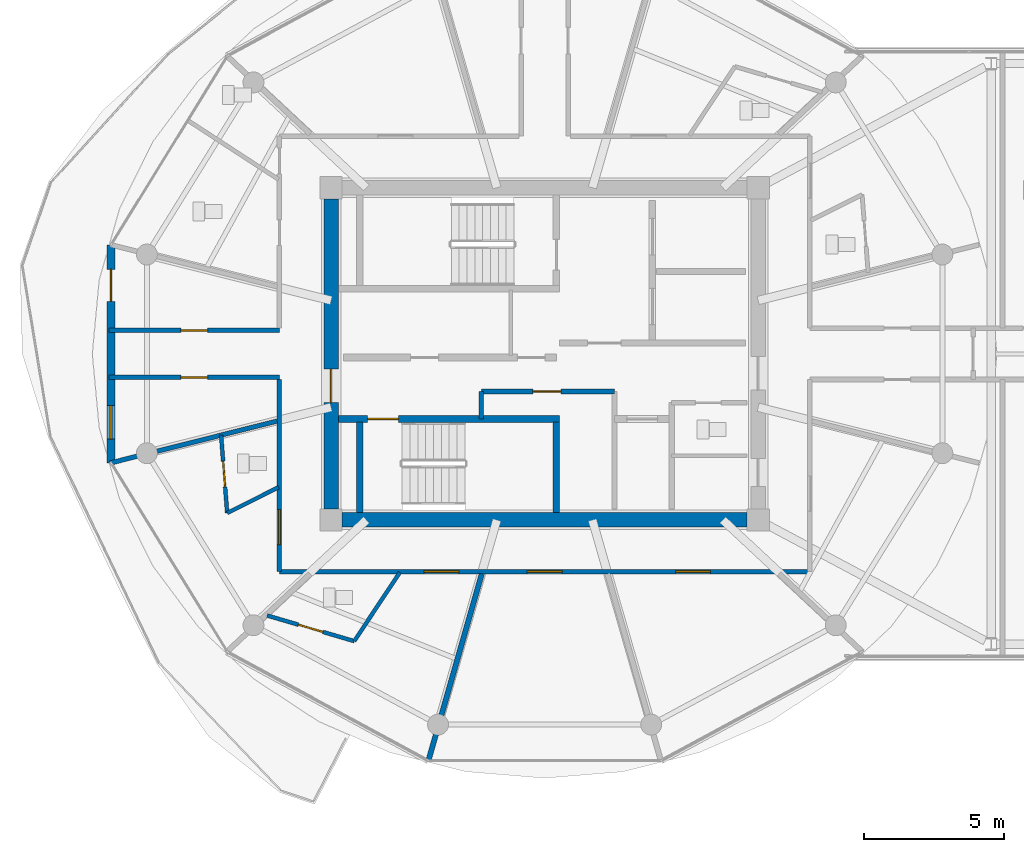
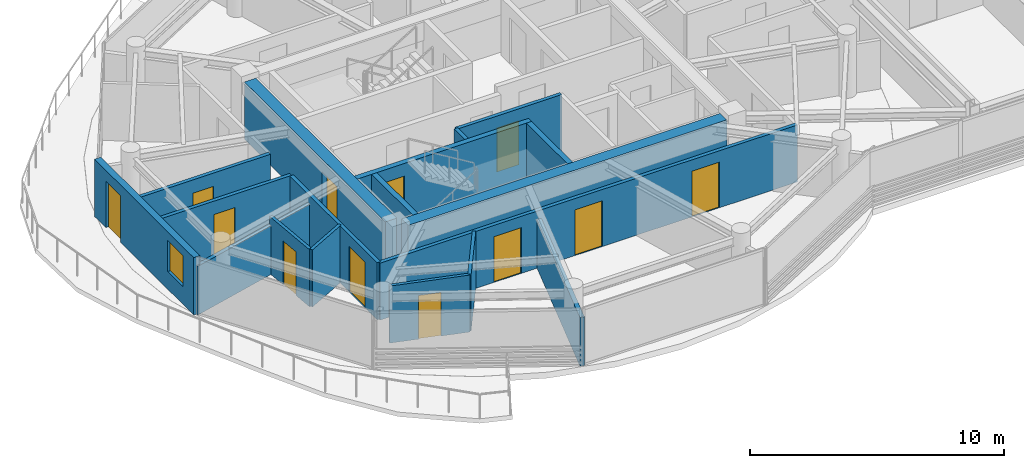
# One storey, part 14 of 26: 18 walls, 12 doors, 1 window, 13 openings.
"""IFC4 building model written with IfcOpenShell, lengths in metres."""

from ifc_helpers import new_model, si_unit, direction, frame, frame_2d, origin, place, context, subcontext, project, spatial, rectangle, extrude, source, transform, mapped, material, layer, layer_set, type_object, type_shapes, element, fill, save


model = new_model("IFC4")

# Units and contexts
model_context = context("Model", 3, precision=1e-05, world=origin(), true_north=direction((0.0, 1.0)))
body_context = subcontext(model_context, "Body", "Model", "MODEL_VIEW")
ifc_project = project(units=[si_unit("LENGTHUNIT", "METRE"), si_unit("AREAUNIT", "SQUARE_METRE"), si_unit("VOLUMEUNIT", "CUBIC_METRE"), si_unit("PLANEANGLEUNIT", "RADIAN"), si_unit("MASSUNIT", "GRAM", prefix="KILO")], contexts=[model_context])

# Site, building, storey
site_placement = place(None, origin())
site = spatial("IfcSite", under=ifc_project, at=site_placement, CompositionType="ELEMENT")
building_placement = place(site_placement, origin())
building = spatial("IfcBuilding", under=site, at=building_placement, Name="Norrkilde Senior Care Towers", CompositionType="ELEMENT")
storey_placement = place(building_placement, frame((0.0, 0.0, 210.85009765625)))
storey = spatial("IfcBuildingStorey", under=building, at=storey_placement, Name="L65", CompositionType="ELEMENT", Elevation=210.85009765625)

# Wall
ifc_material_1 = material(Name="Concrete C50/60", Category="concrete")
ifc_layer_1 = layer(ifc_material_1, 0.52001953125)
ifc_layer_set_1 = layer_set([ifc_layer_1], Name="Concrete C50/60")
wall_type_1 = type_object("IfcWallType", Name="Core Shear Wall Z4 520", PredefinedType="SHEAR", material=ifc_layer_set_1)
shared_shape_1 = source(origin(), body_context, "Body", "SweptSolid", [
    extrude(rectangle(XDim=14.5, YDim=0.52001953125, at=frame_2d((7.25, 0.0))), origin(), (0.0, 0.0, 1.0), 2.760009765625),
])
wall_1_placement = place(storey_placement, frame((-20.75, -5.949951171875, 0.0), z_axis=(0.0, 0.0, 1.0), x_axis=(-1.0, 0.0, 0.0)))
element("IfcWall", 1, at=wall_1_placement, inside=storey, type_object=wall_type_1, Name="L65 Core W South Shear Wall", PredefinedType="SHEAR", context=body_context, shape_type="MappedRepresentation", body=[
    mapped(shared_shape_1, transform((0.0, 0.0, 0.0), x_axis=(1.0, 0.0, 0.0), y_axis=(0.0, 1.0, 0.0), z_axis=(0.0, 0.0, 1.0), scale=1.0)),
])

# Wall, opening, door
shared_shape_2 = source(origin(), body_context, "Body", "SweptSolid", [
    extrude(rectangle(XDim=11.10009765625, YDim=0.52001953125, at=frame_2d((5.550048828125, 0.0))), origin(), (0.0, 0.0, 1.0), 2.760009765625),
])
type_shapes(wall_type_1, [shared_shape_1, shared_shape_2])
wall_2_placement = place(storey_placement, frame((-35.64990234375, -5.550048828125, 0.0), z_axis=(0.0, 0.0, 1.0), x_axis=(0.0, 1.0, 0.0)))
wall_2 = element("IfcWall", 2, at=wall_2_placement, inside=storey, type_object=wall_type_1, Name="L65 Core W West Shear Wall", PredefinedType="SHEAR", context=body_context, shape_type="MappedRepresentation", body=[
    mapped(shared_shape_2, transform((0.0, 0.0, 0.0), x_axis=(1.0, 0.0, 0.0), y_axis=(0.0, 1.0, 0.0), z_axis=(0.0, 0.0, 1.0), scale=1.0)),
])
opening_1_placement = place(wall_2_placement, frame((3.800048828125, 0.0, 0.0)))
opening_1 = element("IfcOpeningElement", 3, at=opening_1_placement, cuts=wall_2, Name="Opening D-04", PredefinedType="OPENING", context=body_context, shape_type="SweptSolid", body=[
    extrude(rectangle(XDim=1.199951171875, YDim=2.14990234375, at=frame_2d((0.60009765625, 1.074951171875))), frame((0.0, 0.27001953125, 0.0), z_axis=(0.0, -1.0, 0.0), x_axis=(1.0, 0.0, 0.0)), (0.0, 0.0, 1.0), 0.5400390625),
])
ifc_material_2 = material(Name="Galvanised Painted Steel", Category="steel")
door_type_1 = type_object("IfcDoorType", Name="Firefighting Lobby Fire Door 1200x2150", OperationType="NOTDEFINED", PredefinedType="DOOR", material=ifc_material_2)
shared_shape_3 = source(origin(), body_context, "Body", "SweptSolid", [
    extrude(rectangle(XDim=1.199951171875, YDim=2.14990234375, at=frame_2d((0.60009765625, 1.074951171875))), frame((0.0, 0.02490234375, 0.0), z_axis=(0.0, -1.0, 0.0), x_axis=(1.0, 0.0, 0.0)), (0.0, 0.0, 1.0), 0.050048828125),
])
type_shapes(door_type_1, [shared_shape_3])
door_1_placement = place(opening_1_placement, frame((1.199951171875, 0.0, 0.0), z_axis=(0.0, 0.0, 1.0), x_axis=(-1.0, 0.0, 0.0)))
door_1 = element("IfcDoor", 4, at=door_1_placement, inside=storey, type_object=door_type_1, Name="L65 Core W West Portal Door", OperationType="SINGLE_SWING_LEFT", OverallHeight=2.14990234375, OverallWidth=1.199951171875, PredefinedType="DOOR", context=body_context, shape_type="MappedRepresentation", body=[
    mapped(shared_shape_3, transform((0.0, 0.0, 0.0), x_axis=(1.0, 0.0, 0.0), y_axis=(0.0, 1.0, 0.0), z_axis=(0.0, 0.0, 1.0), scale=1.0)),
])
fill(opening_1, door_1)

# Wall, openings, door, window
ifc_material_3 = material(Name="Precast concrete C45/55", Category="concrete")
ifc_layer_2 = layer(ifc_material_3, 0.2900390625)
ifc_layer_set_2 = layer_set([ifc_layer_2], Name="Precast concrete C45/55")
wall_type_2 = type_object("IfcWallType", Name="Winter Garden Facade Wall 290", PredefinedType="SOLIDWALL", material=ifc_layer_set_2)
shared_shape_4 = source(origin(), body_context, "Body", "SweptSolid", [
    extrude(rectangle(XDim=7.80615234375, YDim=0.2900390625, at=frame_2d((3.903076171875, 0.0))), origin(), (0.0, 0.0, 1.0), 2.760009765625),
])
type_shapes(wall_type_2, [shared_shape_4])
wall_3_placement = place(storey_placement, frame((-43.531982421875, -3.903076171875, 0.0), z_axis=(0.0, 0.0, 1.0), x_axis=(0.0, 1.0, 0.0)))
wall_3 = element("IfcWall", 5, at=wall_3_placement, inside=storey, type_object=wall_type_2, Name="L65 Drum W Balcony Access Wall 05", PredefinedType="SOLIDWALL", context=body_context, shape_type="MappedRepresentation", body=[
    mapped(shared_shape_4, transform((0.0, 0.0, 0.0), x_axis=(1.0, 0.0, 0.0), y_axis=(0.0, 1.0, 0.0), z_axis=(0.0, 0.0, 1.0), scale=1.0)),
])
opening_2_placement = place(wall_3_placement, frame((5.780029296875, 0.0, 0.0)))
opening_2 = element("IfcOpeningElement", 6, at=opening_2_placement, cuts=wall_3, Name="Opening D-09", PredefinedType="OPENING", context=body_context, shape_type="SweptSolid", body=[
    extrude(rectangle(XDim=1.14990234375, YDim=2.25, at=frame_2d((0.574951171875, 1.125))), frame((0.0, 0.155029296875, 0.0), z_axis=(0.0, -1.0, 0.0), x_axis=(1.0, 0.0, 0.0)), (0.0, 0.0, 1.0), 0.31005859375),
])
opening_3_placement = place(wall_3_placement, frame((0.85009765625, 0.0, 0.85009765625)))
opening_3 = element("IfcOpeningElement", 7, at=opening_3_placement, cuts=wall_3, Name="Opening WN-07", PredefinedType="OPENING", context=body_context, shape_type="SweptSolid", body=[
    extrude(rectangle(XDim=1.199951171875, YDim=1.5, at=frame_2d((0.60009765625, 0.75))), frame((0.0, 0.155029296875, 0.0), z_axis=(0.0, -1.0, 0.0), x_axis=(1.0, 0.0, 0.0)), (0.0, 0.0, 1.0), 0.31005859375),
])
ifc_material_4 = material(Name="Anodised Aluminium", Category="aluminium")
door_type_2 = type_object("IfcDoorType", Name="Terrace and Balcony Glazed Door 1150x2250", OperationType="NOTDEFINED", PredefinedType="DOOR", material=ifc_material_4)
shared_shape_5 = source(origin(), body_context, "Body", "SweptSolid", [
    extrude(rectangle(XDim=1.14990234375, YDim=2.25, at=frame_2d((0.574951171875, 1.125))), frame((0.0, 0.02490234375, 0.0), z_axis=(0.0, -1.0, 0.0), x_axis=(1.0, 0.0, 0.0)), (0.0, 0.0, 1.0), 0.050048828125),
])
type_shapes(door_type_2, [shared_shape_5])
door_2_placement = place(opening_2_placement, origin())
door_2 = element("IfcDoor", 8, at=door_2_placement, inside=storey, type_object=door_type_2, Name="L65 Drum W Outdoor Terrace Door 05", OperationType="SINGLE_SWING_RIGHT", OverallHeight=2.25, OverallWidth=1.14990234375, PredefinedType="DOOR", context=body_context, shape_type="MappedRepresentation", body=[
    mapped(shared_shape_5, transform((0.0, 0.0, 0.0), x_axis=(1.0, 0.0, 0.0), y_axis=(0.0, 1.0, 0.0), z_axis=(0.0, 0.0, 1.0), scale=1.0)),
])
fill(opening_2, door_2)
ifc_material_5 = material(Name="Triple Low-E Insulated Glazing", Category="glass")
window_type = type_object("IfcWindowType", Name="Stairwell Smoke Vent Window 1200x1500", PartitioningType="SINGLE_PANEL", PredefinedType="WINDOW", material=ifc_material_5)
shared_shape_6 = source(origin(), body_context, "Body", "SweptSolid", [
    extrude(rectangle(XDim=1.199951171875, YDim=1.5, at=frame_2d((0.60009765625, 0.75))), frame((0.0, 0.030029296875, 0.0), z_axis=(0.0, -1.0, 0.0), x_axis=(1.0, 0.0, 0.0)), (0.0, 0.0, 1.0), 0.06005859375),
])
type_shapes(window_type, [shared_shape_6])
window_placement = place(opening_3_placement, origin())
window = element("IfcWindow", 9, at=window_placement, inside=storey, type_object=window_type, Name="L65 Drum W Winter Garden Window 05", OverallHeight=1.5, OverallWidth=1.199951171875, PartitioningType="SINGLE_PANEL", PredefinedType="WINDOW", context=body_context, shape_type="MappedRepresentation", body=[
    mapped(shared_shape_6, transform((0.0, 0.0, 0.0), x_axis=(1.0, 0.0, 0.0), y_axis=(0.0, 1.0, 0.0), z_axis=(0.0, 0.0, 1.0), scale=1.0)),
])
fill(opening_3, window)

# Wall, opening, door
ifc_material_6 = material(Name="Concrete C45/55", Category="concrete")
ifc_layer_3 = layer(ifc_material_6, 0.239990234375)
ifc_layer_set_3 = layer_set([ifc_layer_3], Name="Concrete C45/55")
wall_type_3 = type_object("IfcWallType", Name="Shaft and Stair Enclosure Wall 240", PredefinedType="PARTITIONING", material=ifc_layer_set_3)
shared_shape_7 = source(origin(), body_context, "Body", "SweptSolid", [
    extrude(rectangle(XDim=7.929931640625, YDim=0.239990234375, at=frame_2d((3.96484375, 0.0))), origin(), (0.0, 0.0, 1.0), 2.760009765625),
])
wall_4_placement = place(storey_placement, frame((-35.389892578125, -2.330078125, 0.0), z_axis=(0.0, 0.0, 1.0), x_axis=(1.0, 0.0, 0.0)))
wall_4 = element("IfcWall", 10, at=wall_4_placement, inside=storey, type_object=wall_type_3, Name="WL-INT-L65-W-ST2N", PredefinedType="PARTITIONING", context=body_context, shape_type="MappedRepresentation", body=[
    mapped(shared_shape_7, transform((0.0, 0.0, 0.0), x_axis=(1.0, 0.0, 0.0), y_axis=(0.0, 1.0, 0.0), z_axis=(0.0, 0.0, 1.0), scale=1.0)),
])
opening_4_placement = place(wall_4_placement, frame((1.050048828125, 0.0, 0.0)))
opening_4 = element("IfcOpeningElement", 11, at=opening_4_placement, cuts=wall_4, Name="Opening D-03", PredefinedType="OPENING", context=body_context, shape_type="SweptSolid", body=[
    extrude(rectangle(XDim=1.10009765625, YDim=2.14990234375, at=frame_2d((0.550048828125, 1.074951171875))), frame((0.0, 0.1298828125, 0.0), z_axis=(0.0, -1.0, 0.0), x_axis=(1.0, 0.0, 0.0)), (0.0, 0.0, 1.0), 0.260009765625),
])
door_type_3 = type_object("IfcDoorType", Name="Stairwell Protected Fire Door 1100x2150", OperationType="NOTDEFINED", PredefinedType="DOOR", material=ifc_material_2)
shared_shape_8 = source(origin(), body_context, "Body", "SweptSolid", [
    extrude(rectangle(XDim=1.10009765625, YDim=2.14990234375, at=frame_2d((0.550048828125, 1.074951171875))), frame((0.0, 0.02490234375, 0.0), z_axis=(0.0, -1.0, 0.0), x_axis=(1.0, 0.0, 0.0)), (0.0, 0.0, 1.0), 0.050048828125),
])
type_shapes(door_type_3, [shared_shape_8])
door_3_placement = place(opening_4_placement, frame((1.10009765625, 0.0, 0.0), z_axis=(0.0, 0.0, 1.0), x_axis=(-1.0, 0.0, 0.0)))
door_3 = element("IfcDoor", 12, at=door_3_placement, inside=storey, type_object=door_type_3, Name="L65 Stair W2 Fire Door", OperationType="SINGLE_SWING_RIGHT", OverallHeight=2.14990234375, OverallWidth=1.10009765625, PredefinedType="DOOR", context=body_context, shape_type="MappedRepresentation", body=[
    mapped(shared_shape_8, transform((0.0, 0.0, 0.0), x_axis=(1.0, 0.0, 0.0), y_axis=(0.0, 1.0, 0.0), z_axis=(0.0, 0.0, 1.0), scale=1.0)),
])
fill(opening_4, door_3)

# Walls
shared_shape_9 = source(origin(), body_context, "Body", "SweptSolid", [
    extrude(rectangle(XDim=3.239990234375, YDim=0.239990234375, at=frame_2d((1.6201171875, 0.0))), origin(), (0.0, 0.0, 1.0), 2.760009765625),
])
type_shapes(wall_type_3, [shared_shape_7, shared_shape_9])
for number, where, z_axis, x_axis, name in (
    (13, (-34.6201171875, -5.68994140625, 0.0), (0.0, 0.0, 1.0), (0.0, 1.0, 0.0), "WL-INT-L65-W-ST2W"),
    (14, (-27.580078125, -5.68994140625, 0.0), (0.0, 0.0, 1.0), (0.0, 1.0, 0.0), "WL-INT-L65-W-ST2E"),
):
    element("IfcWall", number, at=place(storey_placement, frame(where, z_axis=z_axis, x_axis=x_axis)), inside=storey, type_object=wall_type_3, Name=name, PredefinedType="PARTITIONING", context=body_context, shape_type="MappedRepresentation", body=[
        mapped(shared_shape_9, transform((0.0, 0.0, 0.0), x_axis=(1.0, 0.0, 0.0), y_axis=(0.0, 1.0, 0.0), z_axis=(0.0, 0.0, 1.0), scale=1.0)),
    ])
ifc_material_7 = material(Name="Gypsum Acoustic Board")
ifc_layer_4 = layer(ifc_material_7, 0.1650390625)
ifc_layer_set_4 = layer_set([ifc_layer_4], Name="Gypsum Acoustic Board")
wall_type_4 = type_object("IfcWallType", Name="Corridor Rated Partition 165", PredefinedType="PARTITIONING", material=ifc_layer_set_4)
shared_shape_10 = source(origin(), body_context, "Body", "SweptSolid", [
    extrude(rectangle(XDim=6.1572265625, YDim=0.1650390625, at=frame_2d((3.07861328125, 0.0))), origin(), (0.0, 0.0, 1.0), 2.344970703125),
])
wall_5_placement = place(storey_placement, frame((-37.580078125, -2.407470703125, 0.0), z_axis=(0.0, 0.0, 1.0), x_axis=(-0.969840867184, -0.243738984038, 0.0)))
element("IfcWall", 15, at=wall_5_placement, inside=storey, type_object=wall_type_4, Name="WL-INT-L65-W-DEM-06-0", PredefinedType="PARTITIONING", context=body_context, shape_type="MappedRepresentation", body=[
    mapped(shared_shape_10, transform((0.0, 0.0, 0.0), x_axis=(1.0, 0.0, 0.0), y_axis=(0.0, 1.0, 0.0), z_axis=(0.0, 0.0, 1.0), scale=1.0)),
])
ifc_layer_5 = layer(ifc_material_7, 0.18994140625)
ifc_layer_set_5 = layer_set([ifc_layer_5], Name="Gypsum Acoustic Board")
wall_type_5 = type_object("IfcWallType", Name="Unit Demising Acoustic Wall 190", PredefinedType="PARTITIONING", material=ifc_layer_set_5)
shared_shape_11 = source(origin(), body_context, "Body", "SweptSolid", [
    extrude(rectangle(XDim=6.973876953125, YDim=0.18994140625, at=frame_2d((3.48681640625, 0.0))), origin(), (0.0, 0.0, 1.0), 2.344970703125),
])
type_shapes(wall_type_5, [shared_shape_11])
wall_6_placement = place(storey_placement, frame((-30.251220703125, -7.8798828125, 0.0), z_axis=(0.0, 0.0, 1.0), x_axis=(-0.274707256801, -0.961527910703, 0.0)))
element("IfcWall", 16, at=wall_6_placement, inside=storey, type_object=wall_type_5, Name="WL-INT-L65-W-DEM-08-0", PredefinedType="PARTITIONING", context=body_context, shape_type="MappedRepresentation", body=[
    mapped(shared_shape_11, transform((0.0, 0.0, 0.0), x_axis=(1.0, 0.0, 0.0), y_axis=(0.0, 1.0, 0.0), z_axis=(0.0, 0.0, 1.0), scale=1.0)),
])

# Wall, opening, door
shared_shape_12 = source(origin(), body_context, "Body", "SweptSolid", [
    extrude(rectangle(XDim=4.77001953125, YDim=0.1650390625, at=frame_2d((2.385009765625, 0.0))), origin(), (0.0, 0.0, 1.0), 2.744873046875),
])
wall_7_placement = place(storey_placement, frame((-30.27001953125, -1.35009765625, 0.0), z_axis=(0.0, 0.0, 1.0), x_axis=(1.0, 0.0, 0.0)))
wall_7 = element("IfcWall", 17, at=wall_7_placement, inside=storey, type_object=wall_type_4, Name="WL-INT-L65-W-FR2N", PredefinedType="PARTITIONING", context=body_context, shape_type="MappedRepresentation", body=[
    mapped(shared_shape_12, transform((0.0, 0.0, 0.0), x_axis=(1.0, 0.0, 0.0), y_axis=(0.0, 1.0, 0.0), z_axis=(0.0, 0.0, 1.0), scale=1.0)),
])
opening_5_placement = place(wall_7_placement, frame((1.85009765625, 0.0, 0.0)))
opening_5 = element("IfcOpeningElement", 18, at=opening_5_placement, cuts=wall_7, Name="Opening D-10", PredefinedType="OPENING", context=body_context, shape_type="SweptSolid", body=[
    extrude(rectangle(XDim=1.0, YDim=2.10009765625, at=frame_2d((0.5, 1.050048828125))), frame((0.0, 0.092529296875, 0.0), z_axis=(0.0, -1.0, 0.0), x_axis=(1.0, 0.0, 0.0)), (0.0, 0.0, 1.0), 0.18505859375),
])
door_type_4 = type_object("IfcDoorType", Name="Plant and Riser Rated Door 1000x2100", OperationType="NOTDEFINED", PredefinedType="DOOR", material=ifc_material_2)
shared_shape_13 = source(origin(), body_context, "Body", "SweptSolid", [
    extrude(rectangle(XDim=1.0, YDim=2.10009765625, at=frame_2d((0.5, 1.050048828125))), frame((0.0, 0.02490234375, 0.0), z_axis=(0.0, -1.0, 0.0), x_axis=(1.0, 0.0, 0.0)), (0.0, 0.0, 1.0), 0.050048828125),
])
type_shapes(door_type_4, [shared_shape_13])
door_4_placement = place(opening_5_placement, origin())
door_4 = element("IfcDoor", 19, at=door_4_placement, inside=storey, type_object=door_type_4, Name="L65 Core Pantry W Door", OperationType="SINGLE_SWING_RIGHT", OverallHeight=2.10009765625, OverallWidth=1.0, PredefinedType="DOOR", context=body_context, shape_type="MappedRepresentation", body=[
    mapped(shared_shape_13, transform((0.0, 0.0, 0.0), x_axis=(1.0, 0.0, 0.0), y_axis=(0.0, 1.0, 0.0), z_axis=(0.0, 0.0, 1.0), scale=1.0)),
])
fill(opening_5, door_4)

# Wall
shared_shape_14 = source(origin(), body_context, "Body", "SweptSolid", [
    extrude(rectangle(XDim=0.97998046875, YDim=0.1650390625, at=frame_2d((0.489990234375, 0.0))), origin(), (0.0, 0.0, 1.0), 2.744873046875),
])
wall_8_placement = place(storey_placement, frame((-30.27001953125, -2.330078125, 0.0), z_axis=(0.0, 0.0, 1.0), x_axis=(0.0, 1.0, 0.0)))
element("IfcWall", 20, at=wall_8_placement, inside=storey, type_object=wall_type_4, Name="WL-INT-L65-W-FR2W", PredefinedType="PARTITIONING", context=body_context, shape_type="MappedRepresentation", body=[
    mapped(shared_shape_14, transform((0.0, 0.0, 0.0), x_axis=(1.0, 0.0, 0.0), y_axis=(0.0, 1.0, 0.0), z_axis=(0.0, 0.0, 1.0), scale=1.0)),
])

# Wall, openings, doors
shared_shape_15 = source(origin(), body_context, "Body", "SweptSolid", [
    extrude(rectangle(XDim=19.0, YDim=0.1650390625, at=frame_2d((9.5, 0.0))), origin(), (0.0, 0.0, 1.0), 2.744873046875),
])
wall_9_placement = place(storey_placement, frame((-18.5, -7.800048828125, 0.0), z_axis=(0.0, 0.0, 1.0), x_axis=(-1.0, 0.0, 0.0)))
wall_9 = element("IfcWall", 21, at=wall_9_placement, inside=storey, type_object=wall_type_4, Name="WL-INT-L65-W-CRW-S-0", PredefinedType="PARTITIONING", context=body_context, shape_type="MappedRepresentation", body=[
    mapped(shared_shape_15, transform((0.0, 0.0, 0.0), x_axis=(1.0, 0.0, 0.0), y_axis=(0.0, 1.0, 0.0), z_axis=(0.0, 0.0, 1.0), scale=1.0)),
])
opening_6_placement = place(wall_9_placement, frame((12.56884765625, 0.0, 0.0)))
opening_6 = element("IfcOpeningElement", 22, at=opening_6_placement, cuts=wall_9, Name="Opening D-05", PredefinedType="OPENING", context=body_context, shape_type="SweptSolid", body=[
    extrude(rectangle(XDim=1.25, YDim=2.199951171875, at=frame_2d((0.625, 1.10009765625))), frame((0.0, 0.092529296875, 0.0), z_axis=(0.0, -1.0, 0.0), x_axis=(1.0, 0.0, 0.0)), (0.0, 0.0, 1.0), 0.18505859375),
])
opening_7_placement = place(wall_9_placement, frame((8.875, 0.0, 0.0)))
opening_7 = element("IfcOpeningElement", 23, at=opening_7_placement, cuts=wall_9, Name="Opening D-05", PredefinedType="OPENING", context=body_context, shape_type="SweptSolid", body=[
    extrude(rectangle(XDim=1.25, YDim=2.199951171875, at=frame_2d((0.625, 1.10009765625))), frame((0.0, 0.092529296875, 0.0), z_axis=(0.0, -1.0, 0.0), x_axis=(1.0, 0.0, 0.0)), (0.0, 0.0, 1.0), 0.18505859375),
])
opening_8_placement = place(wall_9_placement, frame((3.55859375, 0.0, 0.0)))
opening_8 = element("IfcOpeningElement", 24, at=opening_8_placement, cuts=wall_9, Name="Opening D-05", PredefinedType="OPENING", context=body_context, shape_type="SweptSolid", body=[
    extrude(rectangle(XDim=1.25, YDim=2.199951171875, at=frame_2d((0.625, 1.10009765625))), frame((0.0, 0.092529296875, 0.0), z_axis=(0.0, -1.0, 0.0), x_axis=(1.0, 0.0, 0.0)), (0.0, 0.0, 1.0), 0.18505859375),
])
ifc_material_8 = material(Name="Nordic Ash Timber", Category="wood")
door_type_5 = type_object("IfcDoorType", Name="Care Bedroom Bariatric Door 1250x2200", OperationType="NOTDEFINED", PredefinedType="DOOR", material=ifc_material_8)
shared_shape_16 = source(origin(), body_context, "Body", "SweptSolid", [
    extrude(rectangle(XDim=1.25, YDim=2.199951171875, at=frame_2d((0.625, 1.10009765625))), frame((0.0, 0.02490234375, 0.0), z_axis=(0.0, -1.0, 0.0), x_axis=(1.0, 0.0, 0.0)), (0.0, 0.0, 1.0), 0.050048828125),
])
type_shapes(door_type_5, [shared_shape_16])
door_5_placement = place(opening_6_placement, frame((1.25, 0.0, 0.0), z_axis=(0.0, 0.0, 1.0), x_axis=(-1.0, 0.0, 0.0)))
door_5 = element("IfcDoor", 25, at=door_5_placement, inside=storey, type_object=door_type_5, Name="L65 Care Suite 6507 Entrance Door", OperationType="SINGLE_SWING_RIGHT", OverallHeight=2.199951171875, OverallWidth=1.25, PredefinedType="DOOR", context=body_context, shape_type="MappedRepresentation", body=[
    mapped(shared_shape_16, transform((0.0, 0.0, 0.0), x_axis=(1.0, 0.0, 0.0), y_axis=(0.0, 1.0, 0.0), z_axis=(0.0, 0.0, 1.0), scale=1.0)),
])
fill(opening_6, door_5)
door_6_placement = place(opening_7_placement, frame((1.25, 0.0, 0.0), z_axis=(0.0, 0.0, 1.0), x_axis=(-1.0, 0.0, 0.0)))
door_6 = element("IfcDoor", 26, at=door_6_placement, inside=storey, type_object=door_type_5, Name="L65 Resident Therapeutic Day Lounge Door", OperationType="SINGLE_SWING_LEFT", OverallHeight=2.199951171875, OverallWidth=1.25, PredefinedType="DOOR", context=body_context, shape_type="MappedRepresentation", body=[
    mapped(shared_shape_16, transform((0.0, 0.0, 0.0), x_axis=(1.0, 0.0, 0.0), y_axis=(0.0, 1.0, 0.0), z_axis=(0.0, 0.0, 1.0), scale=1.0)),
])
fill(opening_7, door_6)
door_7_placement = place(opening_8_placement, frame((1.25, 0.0, 0.0), z_axis=(0.0, 0.0, 1.0), x_axis=(-1.0, 0.0, 0.0)))
door_7 = element("IfcDoor", 27, at=door_7_placement, inside=storey, type_object=door_type_5, Name="L65 Household Therapeutic Kitchen Door", OperationType="SINGLE_SWING_RIGHT", OverallHeight=2.199951171875, OverallWidth=1.25, PredefinedType="DOOR", context=body_context, shape_type="MappedRepresentation", body=[
    mapped(shared_shape_16, transform((0.0, 0.0, 0.0), x_axis=(1.0, 0.0, 0.0), y_axis=(0.0, 1.0, 0.0), z_axis=(0.0, 0.0, 1.0), scale=1.0)),
])
fill(opening_8, door_7)

# Wall, opening, door
shared_shape_17 = source(origin(), body_context, "Body", "SweptSolid", [
    extrude(rectangle(XDim=6.880126953125, YDim=0.1650390625, at=frame_2d((3.43994140625, 0.0))), origin(), (0.0, 0.0, 1.0), 2.744873046875),
])
wall_10_placement = place(storey_placement, frame((-37.5, -7.800048828125, 0.0), z_axis=(0.0, 0.0, 1.0), x_axis=(0.0, 1.0, 0.0)))
wall_10 = element("IfcWall", 28, at=wall_10_placement, inside=storey, type_object=wall_type_4, Name="WL-INT-L65-W-CRW-W-0", PredefinedType="PARTITIONING", context=body_context, shape_type="MappedRepresentation", body=[
    mapped(shared_shape_17, transform((0.0, 0.0, 0.0), x_axis=(1.0, 0.0, 0.0), y_axis=(0.0, 1.0, 0.0), z_axis=(0.0, 0.0, 1.0), scale=1.0)),
])
opening_9_placement = place(wall_10_placement, frame((0.96826171875, 0.0, 0.0)))
opening_9 = element("IfcOpeningElement", 29, at=opening_9_placement, cuts=wall_10, Name="Opening D-05", PredefinedType="OPENING", context=body_context, shape_type="SweptSolid", body=[
    extrude(rectangle(XDim=1.25, YDim=2.199951171875, at=frame_2d((0.625, 1.10009765625))), frame((0.0, 0.092529296875, 0.0), z_axis=(0.0, -1.0, 0.0), x_axis=(1.0, 0.0, 0.0)), (0.0, 0.0, 1.0), 0.18505859375),
])
door_8_placement = place(opening_9_placement, frame((1.25, 0.0, 0.0), z_axis=(0.0, 0.0, 1.0), x_axis=(-1.0, 0.0, 0.0)))
door_8 = element("IfcDoor", 30, at=door_8_placement, inside=storey, type_object=door_type_5, Name="L65 Care Suite 6506 Entrance Door", OperationType="SINGLE_SWING_LEFT", OverallHeight=2.199951171875, OverallWidth=1.25, PredefinedType="DOOR", context=body_context, shape_type="MappedRepresentation", body=[
    mapped(shared_shape_16, transform((0.0, 0.0, 0.0), x_axis=(1.0, 0.0, 0.0), y_axis=(0.0, 1.0, 0.0), z_axis=(0.0, 0.0, 1.0), scale=1.0)),
])
fill(opening_9, door_8)

shared_shape_18 = source(origin(), body_context, "Body", "SweptSolid", [
    extrude(rectangle(XDim=6.101318359375, YDim=0.1650390625, at=frame_2d((3.05078125, 0.0))), origin(), (0.0, 0.0, 1.0), 2.744873046875),
])
type_shapes(wall_type_4, [shared_shape_10, shared_shape_12, shared_shape_14, shared_shape_15, shared_shape_17, shared_shape_18])
wall_11_placement = place(storey_placement, frame((-43.601318359375, 0.840087890625, 0.0), z_axis=(0.0, 0.0, 1.0), x_axis=(1.0, 0.0, 0.0)))
wall_11 = element("IfcWall", 31, at=wall_11_placement, inside=storey, type_object=wall_type_4, Name="WL-INT-L65-W-SPK-W1-0", PredefinedType="PARTITIONING", context=body_context, shape_type="MappedRepresentation", body=[
    mapped(shared_shape_18, transform((0.0, 0.0, 0.0), x_axis=(1.0, 0.0, 0.0), y_axis=(0.0, 1.0, 0.0), z_axis=(0.0, 0.0, 1.0), scale=1.0)),
])
opening_10_placement = place(wall_11_placement, frame((2.57568359375, 0.0, 0.0)))
opening_10 = element("IfcOpeningElement", 32, at=opening_10_placement, cuts=wall_11, Name="Opening D-07", PredefinedType="OPENING", context=body_context, shape_type="SweptSolid", body=[
    extrude(rectangle(XDim=0.949951171875, YDim=2.10009765625, at=frame_2d((0.47509765625, 1.050048828125))), frame((0.0, 0.092529296875, 0.0), z_axis=(0.0, -1.0, 0.0), x_axis=(1.0, 0.0, 0.0)), (0.0, 0.0, 1.0), 0.18505859375),
])
door_type_6 = type_object("IfcDoorType", Name="Internal Suite Bedroom Door 950x2100", OperationType="NOTDEFINED", PredefinedType="DOOR", material=ifc_material_8)
shared_shape_19 = source(origin(), body_context, "Body", "SweptSolid", [
    extrude(rectangle(XDim=0.949951171875, YDim=2.10009765625, at=frame_2d((0.47509765625, 1.050048828125))), frame((0.0, 0.02490234375, 0.0), z_axis=(0.0, -1.0, 0.0), x_axis=(1.0, 0.0, 0.0)), (0.0, 0.0, 1.0), 0.050048828125),
])
type_shapes(door_type_6, [shared_shape_19])
door_9_placement = place(opening_10_placement, frame((0.949951171875, 0.0, 0.0), z_axis=(0.0, 0.0, 1.0), x_axis=(-1.0, 0.0, 0.0)))
door_9 = element("IfcDoor", 33, at=door_9_placement, inside=storey, type_object=door_type_6, Name="L65 Sun Reading Lounge 2 Door", OperationType="SINGLE_SWING_LEFT", OverallHeight=2.10009765625, OverallWidth=0.949951171875, PredefinedType="DOOR", context=body_context, shape_type="MappedRepresentation", body=[
    mapped(shared_shape_19, transform((0.0, 0.0, 0.0), x_axis=(1.0, 0.0, 0.0), y_axis=(0.0, 1.0, 0.0), z_axis=(0.0, 0.0, 1.0), scale=1.0)),
])
fill(opening_10, door_9)

wall_12_placement = place(storey_placement, frame((-37.5, -0.840087890625, 0.0), z_axis=(0.0, 0.0, 1.0), x_axis=(-1.0, 0.0, 0.0)))
wall_12 = element("IfcWall", 34, at=wall_12_placement, inside=storey, type_object=wall_type_4, Name="WL-INT-L65-W-SPK-W2-0", PredefinedType="PARTITIONING", context=body_context, shape_type="MappedRepresentation", body=[
    mapped(shared_shape_18, transform((0.0, 0.0, 0.0), x_axis=(1.0, 0.0, 0.0), y_axis=(0.0, 1.0, 0.0), z_axis=(0.0, 0.0, 1.0), scale=1.0)),
])
opening_11_placement = place(wall_12_placement, frame((2.57568359375, 0.0, 0.0)))
opening_11 = element("IfcOpeningElement", 35, at=opening_11_placement, cuts=wall_12, Name="Opening D-07", PredefinedType="OPENING", context=body_context, shape_type="SweptSolid", body=[
    extrude(rectangle(XDim=0.949951171875, YDim=2.10009765625, at=frame_2d((0.47509765625, 1.050048828125))), frame((0.0, 0.092529296875, 0.0), z_axis=(0.0, -1.0, 0.0), x_axis=(1.0, 0.0, 0.0)), (0.0, 0.0, 1.0), 0.18505859375),
])
door_10_placement = place(opening_11_placement, frame((0.949951171875, 0.0, 0.0), z_axis=(0.0, 0.0, 1.0), x_axis=(-1.0, 0.0, 0.0)))
door_10 = element("IfcDoor", 36, at=door_10_placement, inside=storey, type_object=door_type_6, Name="L65 Sun Reading Lounge 1 Door", OperationType="SINGLE_SWING_RIGHT", OverallHeight=2.10009765625, OverallWidth=0.949951171875, PredefinedType="DOOR", context=body_context, shape_type="MappedRepresentation", body=[
    mapped(shared_shape_19, transform((0.0, 0.0, 0.0), x_axis=(1.0, 0.0, 0.0), y_axis=(0.0, 1.0, 0.0), z_axis=(0.0, 0.0, 1.0), scale=1.0)),
])
fill(opening_11, door_10)

# Wall
ifc_layer_6 = layer(ifc_material_7, 0.139892578125)
ifc_layer_set_6 = layer_set([ifc_layer_6], Name="Gypsum Acoustic Board")
wall_type_6 = type_object("IfcWallType", Name="En-suite Wet Room Wall 140", PredefinedType="PARTITIONING", material=ifc_layer_set_6)
shared_shape_20 = source(origin(), body_context, "Body", "SweptSolid", [
    extrude(rectangle(XDim=2.059814453125, YDim=0.139892578125, at=frame_2d((1.02978515625, 0.0))), origin(), (0.0, 0.0, 1.0), 2.744873046875),
])
wall_13_placement = place(storey_placement, frame((-37.530029296875, -4.7783203125, 0.0), z_axis=(0.0, 0.0, 1.0), x_axis=(-0.893952568722, -0.448161583444, 0.0)))
element("IfcWall", 37, at=wall_13_placement, inside=storey, type_object=wall_type_6, Name="WL-INT-L65-W-ES-06", PredefinedType="PARTITIONING", context=body_context, shape_type="MappedRepresentation", body=[
    mapped(shared_shape_20, transform((0.0, 0.0, 0.0), x_axis=(1.0, 0.0, 0.0), y_axis=(0.0, 1.0, 0.0), z_axis=(0.0, 0.0, 1.0), scale=1.0)),
])

# Wall, opening, door
shared_shape_21 = source(origin(), body_context, "Body", "SweptSolid", [
    extrude(rectangle(XDim=2.79833984375, YDim=0.139892578125, at=frame_2d((1.399169921875, 0.0))), origin(), (0.0, 0.0, 1.0), 2.744873046875),
])
wall_14_placement = place(storey_placement, frame((-39.371337890625, -5.701416015625, 0.0), z_axis=(0.0, 0.0, 1.0), x_axis=(-0.077823984089, 0.996967114553, 0.0)))
wall_14 = element("IfcWall", 38, at=wall_14_placement, inside=storey, type_object=wall_type_6, Name="WL-INT-L65-W-EF-06", PredefinedType="PARTITIONING", context=body_context, shape_type="MappedRepresentation", body=[
    mapped(shared_shape_21, transform((0.0, 0.0, 0.0), x_axis=(1.0, 0.0, 0.0), y_axis=(0.0, 1.0, 0.0), z_axis=(0.0, 0.0, 1.0), scale=1.0)),
])
opening_12_placement = place(wall_14_placement, frame((0.939208984375, 0.0, 0.0)))
opening_12 = element("IfcOpeningElement", 39, at=opening_12_placement, cuts=wall_14, Name="Opening D-08", PredefinedType="OPENING", context=body_context, shape_type="SweptSolid", body=[
    extrude(rectangle(XDim=0.919921875, YDim=2.10009765625, at=frame_2d((0.4599609375, 1.050048828125))), frame((0.0, 0.079833984375, 0.0), z_axis=(0.0, -1.0, 0.0), x_axis=(1.0, 0.0, 0.0)), (0.0, 0.0, 1.0), 0.159912109375),
])
door_type_7 = type_object("IfcDoorType", Name="Accessible Wet Room Door 920x2100", OperationType="NOTDEFINED", PredefinedType="DOOR", material=ifc_material_8)
shared_shape_22 = source(origin(), body_context, "Body", "SweptSolid", [
    extrude(rectangle(XDim=0.919921875, YDim=2.10009765625, at=frame_2d((0.4599609375, 1.050048828125))), frame((0.0, 0.02490234375, 0.0), z_axis=(0.0, -1.0, 0.0), x_axis=(1.0, 0.0, 0.0)), (0.0, 0.0, 1.0), 0.050048828125),
])
type_shapes(door_type_7, [shared_shape_22])
door_11_placement = place(opening_12_placement, origin())
door_11 = element("IfcDoor", 40, at=door_11_placement, inside=storey, type_object=door_type_7, Name="L65 Care Suite 6506 Bathroom Door", OperationType="SINGLE_SWING_RIGHT", OverallHeight=2.10009765625, OverallWidth=0.919921875, PredefinedType="DOOR", context=body_context, shape_type="MappedRepresentation", body=[
    mapped(shared_shape_22, transform((0.0, 0.0, 0.0), x_axis=(1.0, 0.0, 0.0), y_axis=(0.0, 1.0, 0.0), z_axis=(0.0, 0.0, 1.0), scale=1.0)),
])
fill(opening_12, door_11)

# Wall
shared_shape_23 = source(origin(), body_context, "Body", "SweptSolid", [
    extrude(rectangle(XDim=2.95263671875, YDim=0.139892578125, at=frame_2d((1.476318359375, 0.0))), origin(), (0.0, 0.0, 1.0), 2.744873046875),
])
wall_15_placement = place(storey_placement, frame((-33.1884765625, -7.830078125, 0.0), z_axis=(0.0, 0.0, 1.0), x_axis=(-0.552427436518, -0.833560991999, 0.0)))
element("IfcWall", 41, at=wall_15_placement, inside=storey, type_object=wall_type_6, Name="WL-INT-L65-W-ES-07", PredefinedType="PARTITIONING", context=body_context, shape_type="MappedRepresentation", body=[
    mapped(shared_shape_23, transform((0.0, 0.0, 0.0), x_axis=(1.0, 0.0, 0.0), y_axis=(0.0, 1.0, 0.0), z_axis=(0.0, 0.0, 1.0), scale=1.0)),
])

# Wall, opening, door
shared_shape_24 = source(origin(), body_context, "Body", "SweptSolid", [
    extrude(rectangle(XDim=3.252197265625, YDim=0.139892578125, at=frame_2d((1.6259765625, 0.0))), origin(), (0.0, 0.0, 1.0), 2.744873046875),
])
type_shapes(wall_type_6, [shared_shape_20, shared_shape_21, shared_shape_23, shared_shape_24])
wall_16_placement = place(storey_placement, frame((-34.819580078125, -10.291259765625, 0.0), z_axis=(0.0, 0.0, 1.0), x_axis=(-0.959294945864, 0.282406102695, 0.0)))
wall_16 = element("IfcWall", 42, at=wall_16_placement, inside=storey, type_object=wall_type_6, Name="WL-INT-L65-W-EF-07", PredefinedType="PARTITIONING", context=body_context, shape_type="MappedRepresentation", body=[
    mapped(shared_shape_24, transform((0.0, 0.0, 0.0), x_axis=(1.0, 0.0, 0.0), y_axis=(0.0, 1.0, 0.0), z_axis=(0.0, 0.0, 1.0), scale=1.0)),
])
opening_13_placement = place(wall_16_placement, frame((1.166259765625, 0.0, 0.0)))
opening_13 = element("IfcOpeningElement", 43, at=opening_13_placement, cuts=wall_16, Name="Opening D-08", PredefinedType="OPENING", context=body_context, shape_type="SweptSolid", body=[
    extrude(rectangle(XDim=0.919921875, YDim=2.10009765625, at=frame_2d((0.4599609375, 1.050048828125))), frame((0.0, 0.079833984375, 0.0), z_axis=(0.0, -1.0, 0.0), x_axis=(1.0, 0.0, 0.0)), (0.0, 0.0, 1.0), 0.159912109375),
])
door_12_placement = place(opening_13_placement, origin())
door_12 = element("IfcDoor", 44, at=door_12_placement, inside=storey, type_object=door_type_7, Name="L65 Care Suite 6507 Bathroom Door", OperationType="SINGLE_SWING_LEFT", OverallHeight=2.10009765625, OverallWidth=0.919921875, PredefinedType="DOOR", context=body_context, shape_type="MappedRepresentation", body=[
    mapped(shared_shape_22, transform((0.0, 0.0, 0.0), x_axis=(1.0, 0.0, 0.0), y_axis=(0.0, 1.0, 0.0), z_axis=(0.0, 0.0, 1.0), scale=1.0)),
])
fill(opening_13, door_12)

save(model, "model.ifc")
